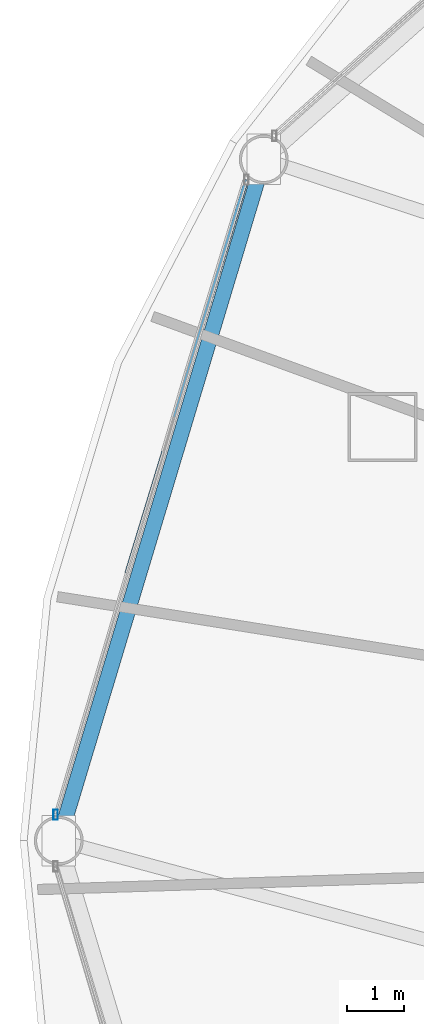
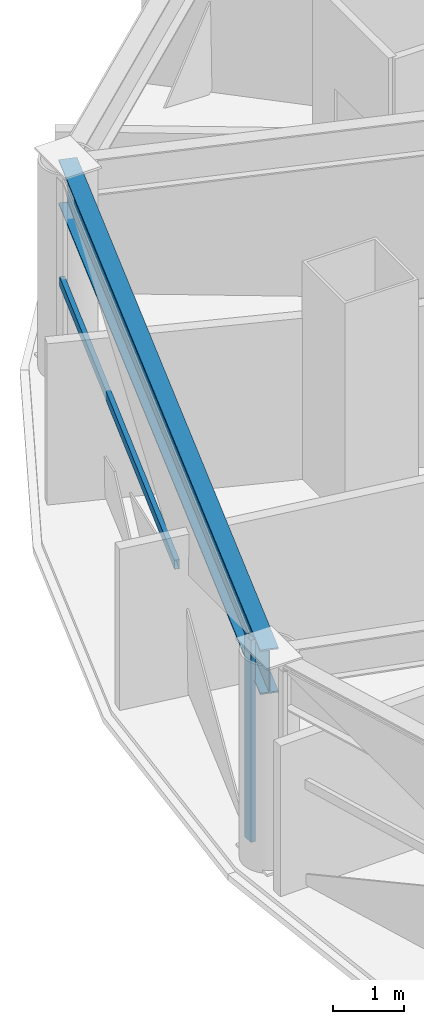
# One storey, part 8 of 32: 2 members, 1 beam, 1 element without a shape of its own.
"""IFC4 building model written with IfcOpenShell, lengths in metres."""

from ifc_helpers import new_model, si_unit, direction, frame, origin, origin_2d, place, context, subcontext, project, spatial, hollow_rectangle, i_section, extrude, material, layer, layer_set, material_profile, profile_set, type_object, element, aggregate, save


model = new_model("IFC4")

# Units and contexts
model_context = context("Model", 3, precision=1e-05, world=origin(), true_north=direction((0.0, 1.0)))
body_context = subcontext(model_context, "Body", "Model", "MODEL_VIEW")
ifc_project = project(units=[si_unit("LENGTHUNIT", "METRE"), si_unit("AREAUNIT", "SQUARE_METRE"), si_unit("VOLUMEUNIT", "CUBIC_METRE"), si_unit("PLANEANGLEUNIT", "RADIAN"), si_unit("MASSUNIT", "GRAM", prefix="KILO")], contexts=[model_context])

# Site, building, storey
site_placement = place(None, origin())
site = spatial("IfcSite", under=ifc_project, at=site_placement, CompositionType="ELEMENT")
building_placement = place(site_placement, origin())
building = spatial("IfcBuilding", under=site, at=building_placement, Name="Vantalir Tower", CompositionType="ELEMENT")
storey_placement = place(building_placement, frame((0.0, 0.0, 45.75)))
storey = spatial("IfcBuildingStorey", under=building, at=storey_placement, Name="L10", CompositionType="ELEMENT", Elevation=45.75)

# Beam
ifc_material_1 = material(Name="Steel S460", Category="steel")
ifc_material_profile_1 = material_profile(ifc_material_1, i_section(OverallWidth=0.26806640625, OverallDepth=0.77001953125, WebThickness=0.015625, FlangeThickness=0.025390625, at=origin_2d()), Name="Steel S460")
ifc_profile_set_1 = profile_set([ifc_material_profile_1], Name="Steel S460")
beam_type = type_object("IfcBeamType", Name="BM-RG-762x267", PredefinedType="USERDEFINED", material=ifc_profile_set_1)
beam_placement = place(storey_placement, frame((8.429931640625, 36.863037109375, 3.18505859375), z_axis=(-0.288083666515, -0.957605242826, 0.0), x_axis=(0.957605242826, -0.288083666515, 0.0)))
element("IfcBeam", 1, at=beam_placement, inside=storey, type_object=beam_type, Name="L10 Circumferential Ring Girder 06", ObjectType="GIRDER", PredefinedType="USERDEFINED", context=body_context, shape_type="SweptSolid", body=[
    extrude(i_section(OverallWidth=0.26806640625, OverallDepth=0.77001953125, WebThickness=0.015625, FlangeThickness=0.025390625, at=origin_2d()), origin(), (0.0, 0.0, 1.0), 12.38818359375),
])

# Curtain wall, members
ifc_material_2 = material(Name="Champagne-silver PVDF aluminium and double-silver Low-E glass", Category="aluminium")
ifc_layer = layer(ifc_material_2, 0.18994140625)
ifc_layer_set = layer_set([ifc_layer], Name="Champagne-silver PVDF aluminium and double-silver Low-E glass")
curtain_wall_type = type_object("IfcCurtainWallType", Name="CW-DIAMOND-Z1", PredefinedType="USERDEFINED", material=ifc_layer_set)
curtain_wall_placement = place(storey_placement, origin())
curtain_wall = element("IfcCurtainWall", 2, at=curtain_wall_placement, inside=storey, type_object=curtain_wall_type, Name="L10 Quilted Pyramid-Diamond Curtain Wall S06", ObjectType="UNITISED CURTAIN WALL", PredefinedType="USERDEFINED")
ifc_material_3 = material(Name="Champagne-silver PVDF aluminium 6063-T6", Category="aluminium")
ifc_material_profile_2 = material_profile(ifc_material_3, hollow_rectangle(XDim=0.074951171875, YDim=0.179931640625, WallThickness=0.00390625, at=origin_2d()), Name="Champagne-silver PVDF aluminium 6063-T6")
ifc_profile_set_2 = profile_set([ifc_material_profile_2], Name="Champagne-silver PVDF aluminium 6063-T6")
member_type_1 = type_object("IfcMemberType", Name="CWM-180x75", PredefinedType="MULLION", material=ifc_profile_set_2)
member_1_placement = place(storey_placement, frame((4.805908203125, 25.449951171875, 0.044921875), z_axis=(0.0, 0.0, 1.0), x_axis=(1.0, 0.0, 0.0)))
member_1 = element("IfcMember", 3, at=member_1_placement, type_object=member_type_1, Name="CW-L10-S06 Mullion 2", PredefinedType="MULLION", context=body_context, shape_type="SweptSolid", body=[
    extrude(hollow_rectangle(XDim=0.074951171875, YDim=0.179931640625, WallThickness=0.00390625, at=origin_2d()), origin(), (0.0, 0.0, 1.0), 3.47998046875),
])
ifc_material_profile_3 = material_profile(ifc_material_3, hollow_rectangle(XDim=0.074951171875, YDim=0.159912109375, WallThickness=0.00390625, at=origin_2d()), Name="Champagne-silver PVDF aluminium 6063-T6")
ifc_profile_set_3 = profile_set([ifc_material_profile_3], Name="Champagne-silver PVDF aluminium 6063-T6")
member_type_2 = type_object("IfcMemberType", Name="CWT-160x75", PredefinedType="USERDEFINED", material=ifc_profile_set_3)
member_2_placement = place(storey_placement, frame((8.1298828125, 36.508056640625, 1.784912109375), z_axis=(-0.290979844257, -0.956729183331, 0.0), x_axis=(0.956729183331, -0.290979844257, 0.0)))
member_2 = element("IfcMember", 4, at=member_2_placement, type_object=member_type_2, Name="CW-L10-S06 Pyramid Fold Ridge Transom", ObjectType="TRANSOM", PredefinedType="USERDEFINED", context=body_context, shape_type="SweptSolid", body=[
    extrude(hollow_rectangle(XDim=0.074951171875, YDim=0.159912109375, WallThickness=0.00390625, at=origin_2d()), origin(), (0.0, 0.0, 1.0), 7.161865234375),
])
aggregate(curtain_wall, [member_1, member_2])

save(model, "model.ifc")
